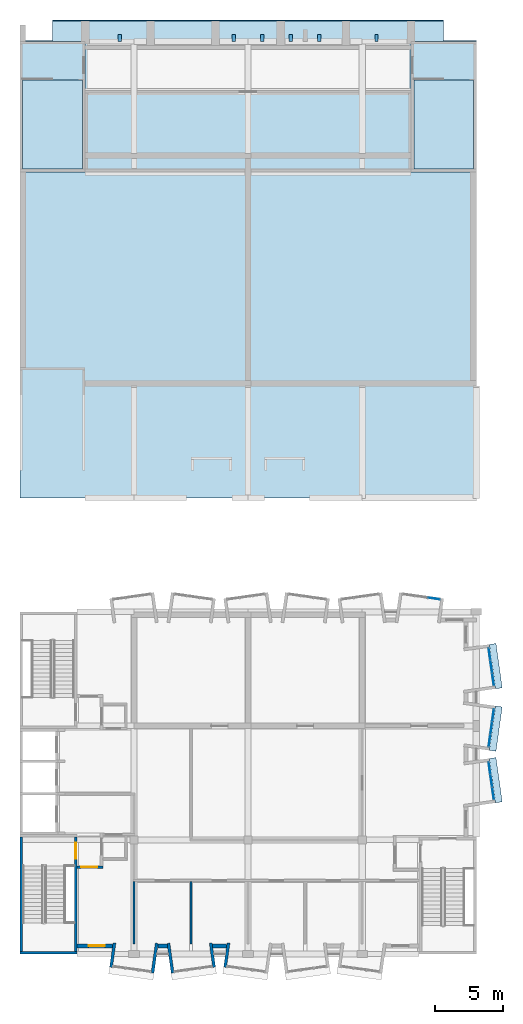
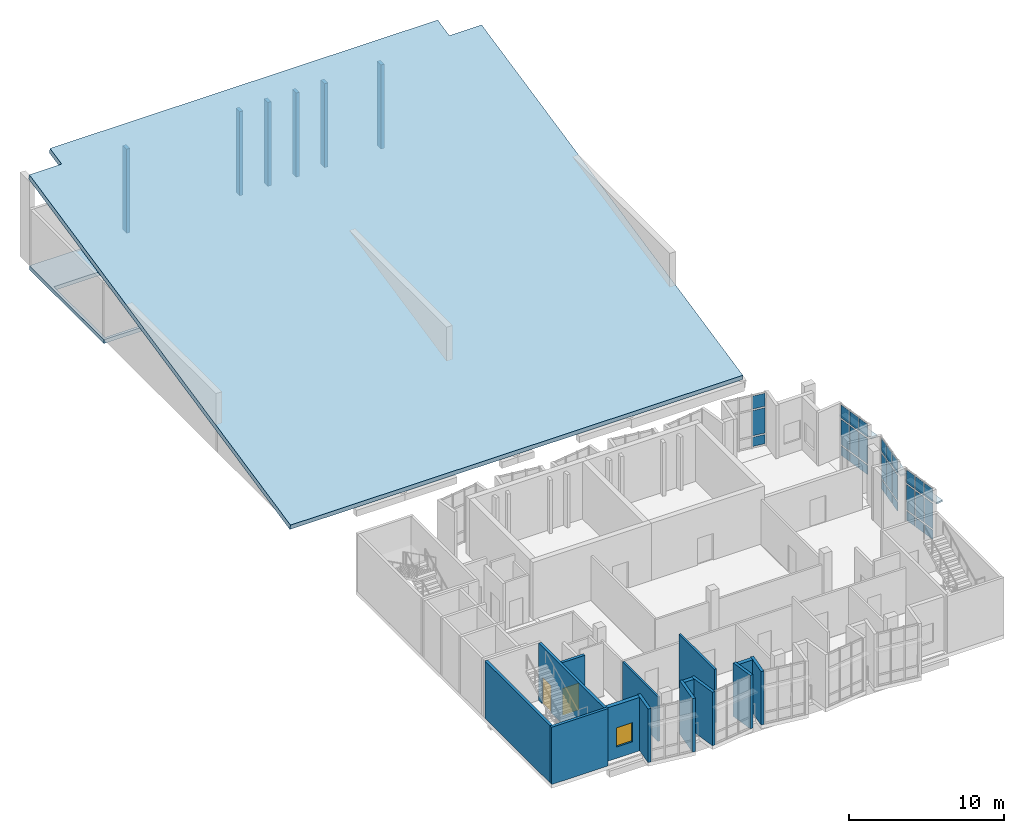
# One storey, part 10 of 19: 39 plates, 14 walls, 2 doors, 2 slabs, 1 window, 3 openings, 4 elements without a shape of their own.
"""IFC4 building model written with IfcOpenShell, lengths in metres."""

from ifc_helpers import new_model, si_unit, direction, frame, frame_2d, origin, origin_2d, place, context, subcontext, project, spatial, polyline, rectangle, outline, extrude, material, layer, layer_set, type_object, element, fill, aggregate, save


model = new_model("IFC4")

# Units and contexts
model_context = context("Model", 3, precision=1e-05, world=origin(), true_north=direction((0.0, 1.0)))
body_context = subcontext(model_context, "Body", "Model", "MODEL_VIEW")
ifc_project = project(units=[si_unit("LENGTHUNIT", "METRE"), si_unit("AREAUNIT", "SQUARE_METRE"), si_unit("VOLUMEUNIT", "CUBIC_METRE"), si_unit("PLANEANGLEUNIT", "RADIAN"), si_unit("MASSUNIT", "GRAM", prefix="KILO")], contexts=[model_context])

# Site, building, storey
site_placement = place(None, origin())
site = spatial("IfcSite", under=ifc_project, at=site_placement, CompositionType="ELEMENT")
building_placement = place(site_placement, origin())
building = spatial("IfcBuilding", under=site, at=building_placement, Name="Kiln Court Media Centre", CompositionType="ELEMENT")
storey_placement = place(building_placement, frame((0.0, 0.0, 29.10009765625)))
storey = spatial("IfcBuildingStorey", under=building, at=storey_placement, Name="L06", CompositionType="ELEMENT", Elevation=29.10009765625)

# Slabs
ifc_material_1 = material(Name="Concrete C30/37", Category="concrete")
ifc_layer_1 = layer(ifc_material_1, 0.300048828125)
ifc_layer_set_1 = layer_set([ifc_layer_1], Name="Concrete C30/37 floor slab 300")
slab_type_1 = type_object("IfcSlabType", Name="Concrete C30/37 floor slab 300", PredefinedType="FLOOR", material=ifc_layer_set_1)
slab_1_placement = place(storey_placement, frame((0.0, 0.0, -0.300048828125)))
element("IfcSlab", 1, at=slab_1_placement, inside=storey, type_object=slab_type_1, Name="L06-SL-1002", PredefinedType="FLOOR", context=body_context, shape_type="SweptSolid", body=[
    extrude(outline(polyline([(0.0, 57.60009765625), (0.0, 67.199951171875), (4.800048828125, 67.199951171875), (4.800048828125, 63.60009765625), (28.800048828125, 63.60009765625), (28.800048828125, 67.199951171875), (33.60009765625, 67.199951171875), (33.60009765625, 57.60009765625), (0.0, 57.60009765625)]), holes=[polyline([(0.199951171875, 57.800048828125), (4.60009765625, 57.800048828125), (4.60009765625, 64.360107421875), (0.199951171875, 64.360107421875), (0.199951171875, 57.800048828125)]), polyline([(29.0, 57.800048828125), (33.39990234375, 57.800048828125), (33.39990234375, 64.360107421875), (29.0, 64.360107421875), (29.0, 57.800048828125)])]), origin(), (0.0, 0.0, 1.0), 0.300048828125),
])
ifc_material_2 = material(Name="Concrete C30/37", Category="concrete")
ifc_layer_2 = layer(ifc_material_2, 0.39990234375)
ifc_layer_set_2 = layer_set([ifc_layer_2], Name="Concrete C30/37 roof slab 400")
slab_type_2 = type_object("IfcSlabType", Name="Concrete C30/37 roof slab 400", PredefinedType="ROOF", material=ifc_layer_set_2)
slab_2_placement = place(storey_placement, frame((0.0, 33.60009765625, 0.0), z_axis=(0.0, -0.207911351471, 0.978147672864), x_axis=(0.0, 0.978147672864, 0.207911351471)))
element("IfcSlab", 2, at=slab_2_placement, inside=storey, type_object=slab_type_2, Name="L06-SL-1001", PredefinedType="ROOF", context=body_context, shape_type="SweptSolid", body=[
    extrude(outline(polyline([(0.0, 0.0), (34.35048931701814, 0.0), (34.35048931701814, -2.3999023437500004), (35.884002873438625, -2.3999023437500004), (35.884002873438625, -31.199951171875007), (34.35048931701814, -31.199951171875007), (34.35048931701814, -33.60009765625001), (0.0, -33.60009765625001), (0.0, 0.0)])), origin(), (0.0, 0.0, -1.0), 0.39990234375),
])

# Plates
ifc_material_3 = material(Name="Concrete C30/37", Category="concrete")
ifc_layer_3 = layer(ifc_material_3, 0.1201171875)
ifc_layer_set_3 = layer_set([ifc_layer_3], Name="Concrete C30/37 sunshade hood 120")
plate_type_1 = type_object("IfcPlateType", Name="Concrete C30/37 sunshade hood 120", PredefinedType="USERDEFINED", material=ifc_layer_set_3)
plate_1_placement = place(storey_placement, frame((0.0, 0.0, 3.0)))
element("IfcPlate", 3, at=plate_1_placement, inside=storey, type_object=plate_type_1, Name="SUNSHADE V6A-E-L06-09", ObjectType="SUNSHADE", PredefinedType="USERDEFINED", context=body_context, shape_type="SweptSolid", body=[
    extrude(outline(polyline([(35.01806640625, 11.133056640625), (34.55859375, 14.40087890625), (35.0537109375, 14.470458984375), (35.51318359375, 11.20263671875), (35.01806640625, 11.133056640625)])), origin(), (0.0, 0.0, 1.0), 0.119873046875),
])
plate_2_placement = place(storey_placement, frame((0.0, 0.0, 3.0)))
element("IfcPlate", 4, at=plate_2_placement, inside=storey, type_object=plate_type_1, Name="SUNSHADE V6A-E-L06-10", ObjectType="SUNSHADE", PredefinedType="USERDEFINED", context=body_context, shape_type="SweptSolid", body=[
    extrude(outline(polyline([(34.55859375, 14.9990234375), (35.01806640625, 18.266845703125), (35.51318359375, 18.197265625), (35.0537109375, 14.929443359375), (34.55859375, 14.9990234375)])), origin(), (0.0, 0.0, 1.0), 0.119873046875),
])
plate_3_placement = place(storey_placement, frame((0.0, 0.0, 3.0)))
element("IfcPlate", 5, at=plate_3_placement, inside=storey, type_object=plate_type_1, Name="SUNSHADE V6A-E-L06-11", ObjectType="SUNSHADE", PredefinedType="USERDEFINED", context=body_context, shape_type="SweptSolid", body=[
    extrude(outline(polyline([(35.01806640625, 19.533203125), (34.55859375, 22.801025390625), (35.0537109375, 22.87060546875), (35.51318359375, 19.602783203125), (35.01806640625, 19.533203125)])), origin(), (0.0, 0.0, 1.0), 0.119873046875),
])
ifc_material_4 = material(Name="Concrete C40/50", Category="concrete")
ifc_layer_4 = layer(ifc_material_4, 0.25)
ifc_layer_set_4 = layer_set([ifc_layer_4], Name="Concrete C40/50 shading fin 250")
plate_type_2 = type_object("IfcPlateType", Name="Concrete C40/50 shading fin 250", PredefinedType="SHEET", material=ifc_layer_set_4)
for number, where, z_axis, x_axis, name in (
    (6, (7.35009765625, 67.449951171875, 0.0), (0.0, 0.0, 1.0), (1.0, 0.0, 0.0), "V4 N fin L06"),
    (7, (15.75, 67.449951171875, 0.0), (0.0, 0.0, 1.0), (1.0, 0.0, 0.0), "V4 N fin L06"),
    (8, (17.85009765625, 67.449951171875, 0.0), (0.0, 0.0, 1.0), (1.0, 0.0, 0.0), "V4 N fin L06"),
    (9, (19.949951171875, 67.449951171875, 0.0), (0.0, 0.0, 1.0), (1.0, 0.0, 0.0), "V4 N fin L06"),
    (10, (22.050048828125, 67.449951171875, 0.0), (0.0, 0.0, 1.0), (1.0, 0.0, 0.0), "V4 N fin L06"),
    (11, (26.25, 67.449951171875, 0.0), (0.0, 0.0, 1.0), (1.0, 0.0, 0.0), "V4 N fin L06"),
):
    element("IfcPlate", number, at=place(storey_placement, frame(where, z_axis=z_axis, x_axis=x_axis)), inside=storey, type_object=plate_type_2, Name=name, PredefinedType="SHEET", context=body_context, shape_type="SweptSolid", body=[
        extrude(rectangle(XDim=0.25, YDim=0.5, at=origin_2d()), origin(), (0.0, 0.0, 1.0), 6.603759765625),
    ])

# Curtain wall, plates
ifc_material_5 = material(Name="Aluminium 6063-T6", Category="aluminium")
ifc_layer_5 = layer(ifc_material_5, 0.1201171875)
ifc_layer_set_5 = layer_set([ifc_layer_5], Name="Aluminium unitised bay curtain wall")
curtain_wall_type = type_object("IfcCurtainWallType", Name="Aluminium unitised bay curtain wall", PredefinedType="USERDEFINED", material=ifc_layer_set_5)
curtain_wall_1_placement = place(storey_placement, origin())
curtain_wall_1 = element("IfcCurtainWall", 12, at=curtain_wall_1_placement, inside=storey, type_object=curtain_wall_type, Name="BAY V6A-E-L06-09 front", ObjectType="UNITISED CURTAIN WALL", PredefinedType="USERDEFINED")
ifc_material_6 = material(Name="Aluminium insulated spandrel", Category="aluminium")
ifc_layer_6 = layer(ifc_material_6, 0.028076171875)
ifc_layer_set_6 = layer_set([ifc_layer_6], Name="Insulated spandrel panel 28")
plate_type_3 = type_object("IfcPlateType", Name="Insulated spandrel panel 28", PredefinedType="CURTAIN_PANEL", material=ifc_layer_set_6)
plate_4_placement = place(storey_placement, frame((34.840087890625, 11.8232421875, 0.1201171875), z_axis=(0.0, 0.0, 1.0), x_axis=(-0.139162472554, 0.990269562409, 0.0)))
plate_4 = element("IfcPlate", 13, at=plate_4_placement, type_object=plate_type_3, Name="CW6-01 panel 1.1", PredefinedType="CURTAIN_PANEL", context=body_context, shape_type="SweptSolid", body=[
    extrude(rectangle(XDim=0.86669921875, YDim=0.028076171875, at=origin_2d()), origin(), (0.0, 0.0, 1.0), 0.719970703125),
])
plate_5_placement = place(storey_placement, frame((34.708984375, 12.755859375, 0.1201171875), z_axis=(0.0, 0.0, 1.0), x_axis=(-0.139162472554, 0.990269562409, 0.0)))
plate_5 = element("IfcPlate", 14, at=plate_5_placement, type_object=plate_type_3, Name="CW6-01 panel 2.1", PredefinedType="CURTAIN_PANEL", context=body_context, shape_type="SweptSolid", body=[
    extrude(rectangle(XDim=0.896728515625, YDim=0.028076171875, at=origin_2d()), origin(), (0.0, 0.0, 1.0), 0.719970703125),
])
plate_6_placement = place(storey_placement, frame((34.578125, 13.6884765625, 0.1201171875), z_axis=(0.0, 0.0, 1.0), x_axis=(-0.139162472554, 0.990269562409, 0.0)))
plate_6 = element("IfcPlate", 15, at=plate_6_placement, type_object=plate_type_3, Name="CW6-01 panel 3.1", PredefinedType="CURTAIN_PANEL", context=body_context, shape_type="SweptSolid", body=[
    extrude(rectangle(XDim=0.86669921875, YDim=0.028076171875, at=origin_2d()), origin(), (0.0, 0.0, 1.0), 0.719970703125),
])

curtain_wall_2_placement = place(storey_placement, origin())
curtain_wall_2 = element("IfcCurtainWall", 16, at=curtain_wall_2_placement, inside=storey, type_object=curtain_wall_type, Name="BAY V6A-E-L06-10 front", ObjectType="UNITISED CURTAIN WALL", PredefinedType="USERDEFINED")
plate_7_placement = place(storey_placement, frame((34.578125, 15.711669921875, 0.1201171875), z_axis=(0.0, 0.0, 1.0), x_axis=(0.139162472554, 0.990269562409, 0.0)))
plate_7 = element("IfcPlate", 17, at=plate_7_placement, type_object=plate_type_3, Name="CW6-02 panel 1.1", PredefinedType="CURTAIN_PANEL", context=body_context, shape_type="SweptSolid", body=[
    extrude(rectangle(XDim=0.86669921875, YDim=0.028076171875, at=origin_2d()), origin(), (0.0, 0.0, 1.0), 0.719970703125),
])
plate_8_placement = place(storey_placement, frame((34.708984375, 16.64404296875, 0.1201171875), z_axis=(0.0, 0.0, 1.0), x_axis=(0.139162472554, 0.990269562409, 0.0)))
plate_8 = element("IfcPlate", 18, at=plate_8_placement, type_object=plate_type_3, Name="CW6-02 panel 2.1", PredefinedType="CURTAIN_PANEL", context=body_context, shape_type="SweptSolid", body=[
    extrude(rectangle(XDim=0.896728515625, YDim=0.028076171875, at=origin_2d()), origin(), (0.0, 0.0, 1.0), 0.719970703125),
])
plate_9_placement = place(storey_placement, frame((34.840087890625, 17.57666015625, 0.1201171875), z_axis=(0.0, 0.0, 1.0), x_axis=(0.139162472554, 0.990269562409, 0.0)))
plate_9 = element("IfcPlate", 19, at=plate_9_placement, type_object=plate_type_3, Name="CW6-02 panel 3.1", PredefinedType="CURTAIN_PANEL", context=body_context, shape_type="SweptSolid", body=[
    extrude(rectangle(XDim=0.86669921875, YDim=0.028076171875, at=origin_2d()), origin(), (0.0, 0.0, 1.0), 0.719970703125),
])

curtain_wall_3_placement = place(storey_placement, origin())
curtain_wall_3 = element("IfcCurtainWall", 20, at=curtain_wall_3_placement, inside=storey, type_object=curtain_wall_type, Name="BAY V6A-E-L06-11 front", ObjectType="UNITISED CURTAIN WALL", PredefinedType="USERDEFINED")
plate_10_placement = place(storey_placement, frame((34.840087890625, 20.223388671875, 0.1201171875), z_axis=(0.0, 0.0, 1.0), x_axis=(-0.139162472554, 0.990269562409, 0.0)))
plate_10 = element("IfcPlate", 21, at=plate_10_placement, type_object=plate_type_3, Name="CW6-03 panel 1.1", PredefinedType="CURTAIN_PANEL", context=body_context, shape_type="SweptSolid", body=[
    extrude(rectangle(XDim=0.86669921875, YDim=0.028076171875, at=origin_2d()), origin(), (0.0, 0.0, 1.0), 0.719970703125),
])
plate_11_placement = place(storey_placement, frame((34.708984375, 21.15576171875, 0.1201171875), z_axis=(0.0, 0.0, 1.0), x_axis=(-0.139162472554, 0.990269562409, 0.0)))
plate_11 = element("IfcPlate", 22, at=plate_11_placement, type_object=plate_type_3, Name="CW6-03 panel 2.1", PredefinedType="CURTAIN_PANEL", context=body_context, shape_type="SweptSolid", body=[
    extrude(rectangle(XDim=0.896728515625, YDim=0.028076171875, at=origin_2d()), origin(), (0.0, 0.0, 1.0), 0.719970703125),
])
plate_12_placement = place(storey_placement, frame((34.578125, 22.08837890625, 0.1201171875), z_axis=(0.0, 0.0, 1.0), x_axis=(-0.139162472554, 0.990269562409, 0.0)))
plate_12 = element("IfcPlate", 23, at=plate_12_placement, type_object=plate_type_3, Name="CW6-03 panel 3.1", PredefinedType="CURTAIN_PANEL", context=body_context, shape_type="SweptSolid", body=[
    extrude(rectangle(XDim=0.86669921875, YDim=0.028076171875, at=origin_2d()), origin(), (0.0, 0.0, 1.0), 0.719970703125),
])

# Curtain wall, plate
curtain_wall_4_placement = place(storey_placement, origin())
curtain_wall_4 = element("IfcCurtainWall", 24, at=curtain_wall_4_placement, inside=storey, type_object=curtain_wall_type, Name="BAY V6A-N-L06-43 front", ObjectType="UNITISED CURTAIN WALL", PredefinedType="USERDEFINED")
plate_13_placement = place(storey_placement, frame((30.48828125, 26.177978515625, 0.1201171875), z_axis=(0.0, 0.0, 1.0), x_axis=(0.990269562409, -0.139162472554, 0.0)))
plate_13 = element("IfcPlate", 25, at=plate_13_placement, type_object=plate_type_3, Name="CW6-09 panel 3.1", PredefinedType="CURTAIN_PANEL", context=body_context, shape_type="SweptSolid", body=[
    extrude(rectangle(XDim=0.86669921875, YDim=0.028076171875, at=origin_2d()), origin(), (0.0, 0.0, 1.0), 0.719970703125),
])

# Plate
ifc_material_7 = material(Name="Low-E double glazing", Category="glass")
ifc_layer_7 = layer(ifc_material_7, 0.028076171875)
ifc_layer_set_7 = layer_set([ifc_layer_7], Name="Low-E double glazed panel 28")
plate_type_4 = type_object("IfcPlateType", Name="Low-E double glazed panel 28", PredefinedType="CURTAIN_PANEL", material=ifc_layer_set_7)
plate_14_placement = place(storey_placement, frame((34.840087890625, 11.8232421875, 0.9599609375), z_axis=(0.0, 0.0, 1.0), x_axis=(-0.139162472554, 0.990269562409, 0.0)))
plate_14 = element("IfcPlate", 26, at=plate_14_placement, type_object=plate_type_4, Name="CW6-01 panel 1.2", PredefinedType="CURTAIN_PANEL", context=body_context, shape_type="SweptSolid", body=[
    extrude(rectangle(XDim=0.86669921875, YDim=0.028076171875, at=origin_2d()), origin(), (0.0, 0.0, 1.0), 1.97998046875),
])

plate_15_placement = place(storey_placement, frame((34.840087890625, 11.8232421875, 3.059814453125), z_axis=(0.0, 0.0, 1.0), x_axis=(-0.139162472554, 0.990269562409, 0.0)))
plate_15 = element("IfcPlate", 27, at=plate_15_placement, type_object=plate_type_4, Name="CW6-01 panel 1.3", PredefinedType="CURTAIN_PANEL", context=body_context, shape_type="SweptSolid", body=[
    extrude(rectangle(XDim=0.86669921875, YDim=0.028076171875, at=origin_2d()), origin(), (0.0, 0.0, 1.0), 1.02001953125),
])

plate_16_placement = place(storey_placement, frame((34.708984375, 12.755859375, 0.9599609375), z_axis=(0.0, 0.0, 1.0), x_axis=(-0.139162472554, 0.990269562409, 0.0)))
plate_16 = element("IfcPlate", 28, at=plate_16_placement, type_object=plate_type_4, Name="CW6-01 panel 2.2", PredefinedType="CURTAIN_PANEL", context=body_context, shape_type="SweptSolid", body=[
    extrude(rectangle(XDim=0.896728515625, YDim=0.028076171875, at=origin_2d()), origin(), (0.0, 0.0, 1.0), 1.97998046875),
])

plate_17_placement = place(storey_placement, frame((34.708984375, 12.755859375, 3.059814453125), z_axis=(0.0, 0.0, 1.0), x_axis=(-0.139162472554, 0.990269562409, 0.0)))
plate_17 = element("IfcPlate", 29, at=plate_17_placement, type_object=plate_type_4, Name="CW6-01 panel 2.3", PredefinedType="CURTAIN_PANEL", context=body_context, shape_type="SweptSolid", body=[
    extrude(rectangle(XDim=0.896728515625, YDim=0.028076171875, at=origin_2d()), origin(), (0.0, 0.0, 1.0), 1.02001953125),
])

plate_18_placement = place(storey_placement, frame((34.578125, 13.6884765625, 0.9599609375), z_axis=(0.0, 0.0, 1.0), x_axis=(-0.139162472554, 0.990269562409, 0.0)))
plate_18 = element("IfcPlate", 30, at=plate_18_placement, type_object=plate_type_4, Name="CW6-01 panel 3.2", PredefinedType="CURTAIN_PANEL", context=body_context, shape_type="SweptSolid", body=[
    extrude(rectangle(XDim=0.86669921875, YDim=0.028076171875, at=origin_2d()), origin(), (0.0, 0.0, 1.0), 1.97998046875),
])

plate_19_placement = place(storey_placement, frame((34.578125, 13.6884765625, 3.059814453125), z_axis=(0.0, 0.0, 1.0), x_axis=(-0.139162472554, 0.990269562409, 0.0)))
plate_19 = element("IfcPlate", 31, at=plate_19_placement, type_object=plate_type_4, Name="CW6-01 panel 3.3", PredefinedType="CURTAIN_PANEL", context=body_context, shape_type="SweptSolid", body=[
    extrude(rectangle(XDim=0.86669921875, YDim=0.028076171875, at=origin_2d()), origin(), (0.0, 0.0, 1.0), 1.02001953125),
])

aggregate(curtain_wall_1, [plate_4, plate_14, plate_15, plate_5, plate_16, plate_17, plate_6, plate_18, plate_19])

plate_20_placement = place(storey_placement, frame((34.578125, 15.711669921875, 0.9599609375), z_axis=(0.0, 0.0, 1.0), x_axis=(0.139162472554, 0.990269562409, 0.0)))
plate_20 = element("IfcPlate", 32, at=plate_20_placement, type_object=plate_type_4, Name="CW6-02 panel 1.2", PredefinedType="CURTAIN_PANEL", context=body_context, shape_type="SweptSolid", body=[
    extrude(rectangle(XDim=0.86669921875, YDim=0.028076171875, at=origin_2d()), origin(), (0.0, 0.0, 1.0), 1.97998046875),
])

plate_21_placement = place(storey_placement, frame((34.578125, 15.711669921875, 3.059814453125), z_axis=(0.0, 0.0, 1.0), x_axis=(0.139162472554, 0.990269562409, 0.0)))
plate_21 = element("IfcPlate", 33, at=plate_21_placement, type_object=plate_type_4, Name="CW6-02 panel 1.3", PredefinedType="CURTAIN_PANEL", context=body_context, shape_type="SweptSolid", body=[
    extrude(rectangle(XDim=0.86669921875, YDim=0.028076171875, at=origin_2d()), origin(), (0.0, 0.0, 1.0), 1.02001953125),
])

plate_22_placement = place(storey_placement, frame((34.708984375, 16.64404296875, 0.9599609375), z_axis=(0.0, 0.0, 1.0), x_axis=(0.139162472554, 0.990269562409, 0.0)))
plate_22 = element("IfcPlate", 34, at=plate_22_placement, type_object=plate_type_4, Name="CW6-02 panel 2.2", PredefinedType="CURTAIN_PANEL", context=body_context, shape_type="SweptSolid", body=[
    extrude(rectangle(XDim=0.896728515625, YDim=0.028076171875, at=origin_2d()), origin(), (0.0, 0.0, 1.0), 1.97998046875),
])

plate_23_placement = place(storey_placement, frame((34.708984375, 16.64404296875, 3.059814453125), z_axis=(0.0, 0.0, 1.0), x_axis=(0.139162472554, 0.990269562409, 0.0)))
plate_23 = element("IfcPlate", 35, at=plate_23_placement, type_object=plate_type_4, Name="CW6-02 panel 2.3", PredefinedType="CURTAIN_PANEL", context=body_context, shape_type="SweptSolid", body=[
    extrude(rectangle(XDim=0.896728515625, YDim=0.028076171875, at=origin_2d()), origin(), (0.0, 0.0, 1.0), 1.02001953125),
])

plate_24_placement = place(storey_placement, frame((34.840087890625, 17.57666015625, 0.9599609375), z_axis=(0.0, 0.0, 1.0), x_axis=(0.139162472554, 0.990269562409, 0.0)))
plate_24 = element("IfcPlate", 36, at=plate_24_placement, type_object=plate_type_4, Name="CW6-02 panel 3.2", PredefinedType="CURTAIN_PANEL", context=body_context, shape_type="SweptSolid", body=[
    extrude(rectangle(XDim=0.86669921875, YDim=0.028076171875, at=origin_2d()), origin(), (0.0, 0.0, 1.0), 1.97998046875),
])

plate_25_placement = place(storey_placement, frame((34.840087890625, 17.57666015625, 3.059814453125), z_axis=(0.0, 0.0, 1.0), x_axis=(0.139162472554, 0.990269562409, 0.0)))
plate_25 = element("IfcPlate", 37, at=plate_25_placement, type_object=plate_type_4, Name="CW6-02 panel 3.3", PredefinedType="CURTAIN_PANEL", context=body_context, shape_type="SweptSolid", body=[
    extrude(rectangle(XDim=0.86669921875, YDim=0.028076171875, at=origin_2d()), origin(), (0.0, 0.0, 1.0), 1.02001953125),
])

aggregate(curtain_wall_2, [plate_7, plate_20, plate_21, plate_8, plate_22, plate_23, plate_9, plate_24, plate_25])

plate_26_placement = place(storey_placement, frame((34.840087890625, 20.223388671875, 0.9599609375), z_axis=(0.0, 0.0, 1.0), x_axis=(-0.139162472554, 0.990269562409, 0.0)))
plate_26 = element("IfcPlate", 38, at=plate_26_placement, type_object=plate_type_4, Name="CW6-03 panel 1.2", PredefinedType="CURTAIN_PANEL", context=body_context, shape_type="SweptSolid", body=[
    extrude(rectangle(XDim=0.86669921875, YDim=0.028076171875, at=origin_2d()), origin(), (0.0, 0.0, 1.0), 1.97998046875),
])

plate_27_placement = place(storey_placement, frame((34.840087890625, 20.223388671875, 3.059814453125), z_axis=(0.0, 0.0, 1.0), x_axis=(-0.139162472554, 0.990269562409, 0.0)))
plate_27 = element("IfcPlate", 39, at=plate_27_placement, type_object=plate_type_4, Name="CW6-03 panel 1.3", PredefinedType="CURTAIN_PANEL", context=body_context, shape_type="SweptSolid", body=[
    extrude(rectangle(XDim=0.86669921875, YDim=0.028076171875, at=origin_2d()), origin(), (0.0, 0.0, 1.0), 1.02001953125),
])

plate_28_placement = place(storey_placement, frame((34.708984375, 21.15576171875, 0.9599609375), z_axis=(0.0, 0.0, 1.0), x_axis=(-0.139162472554, 0.990269562409, 0.0)))
plate_28 = element("IfcPlate", 40, at=plate_28_placement, type_object=plate_type_4, Name="CW6-03 panel 2.2", PredefinedType="CURTAIN_PANEL", context=body_context, shape_type="SweptSolid", body=[
    extrude(rectangle(XDim=0.896728515625, YDim=0.028076171875, at=origin_2d()), origin(), (0.0, 0.0, 1.0), 1.97998046875),
])

plate_29_placement = place(storey_placement, frame((34.708984375, 21.15576171875, 3.059814453125), z_axis=(0.0, 0.0, 1.0), x_axis=(-0.139162472554, 0.990269562409, 0.0)))
plate_29 = element("IfcPlate", 41, at=plate_29_placement, type_object=plate_type_4, Name="CW6-03 panel 2.3", PredefinedType="CURTAIN_PANEL", context=body_context, shape_type="SweptSolid", body=[
    extrude(rectangle(XDim=0.896728515625, YDim=0.028076171875, at=origin_2d()), origin(), (0.0, 0.0, 1.0), 1.02001953125),
])

plate_30_placement = place(storey_placement, frame((34.578125, 22.08837890625, 0.9599609375), z_axis=(0.0, 0.0, 1.0), x_axis=(-0.139162472554, 0.990269562409, 0.0)))
plate_30 = element("IfcPlate", 42, at=plate_30_placement, type_object=plate_type_4, Name="CW6-03 panel 3.2", PredefinedType="CURTAIN_PANEL", context=body_context, shape_type="SweptSolid", body=[
    extrude(rectangle(XDim=0.86669921875, YDim=0.028076171875, at=origin_2d()), origin(), (0.0, 0.0, 1.0), 1.97998046875),
])

plate_31_placement = place(storey_placement, frame((34.578125, 22.08837890625, 3.059814453125), z_axis=(0.0, 0.0, 1.0), x_axis=(-0.139162472554, 0.990269562409, 0.0)))
plate_31 = element("IfcPlate", 43, at=plate_31_placement, type_object=plate_type_4, Name="CW6-03 panel 3.3", PredefinedType="CURTAIN_PANEL", context=body_context, shape_type="SweptSolid", body=[
    extrude(rectangle(XDim=0.86669921875, YDim=0.028076171875, at=origin_2d()), origin(), (0.0, 0.0, 1.0), 1.02001953125),
])

aggregate(curtain_wall_3, [plate_10, plate_26, plate_27, plate_11, plate_28, plate_29, plate_12, plate_30, plate_31])

plate_32_placement = place(storey_placement, frame((30.48828125, 26.177978515625, 0.9599609375), z_axis=(0.0, 0.0, 1.0), x_axis=(0.990269562409, -0.139162472554, 0.0)))
plate_32 = element("IfcPlate", 44, at=plate_32_placement, type_object=plate_type_4, Name="CW6-09 panel 3.2", PredefinedType="CURTAIN_PANEL", context=body_context, shape_type="SweptSolid", body=[
    extrude(rectangle(XDim=0.86669921875, YDim=0.028076171875, at=origin_2d()), origin(), (0.0, 0.0, 1.0), 1.97998046875),
])

plate_33_placement = place(storey_placement, frame((30.48828125, 26.177978515625, 3.059814453125), z_axis=(0.0, 0.0, 1.0), x_axis=(0.990269562409, -0.139162472554, 0.0)))
plate_33 = element("IfcPlate", 45, at=plate_33_placement, type_object=plate_type_4, Name="CW6-09 panel 3.3", PredefinedType="CURTAIN_PANEL", context=body_context, shape_type="SweptSolid", body=[
    extrude(rectangle(XDim=0.86669921875, YDim=0.028076171875, at=origin_2d()), origin(), (0.0, 0.0, 1.0), 1.02001953125),
])

aggregate(curtain_wall_4, [plate_13, plate_32, plate_33])

# Wall, opening, door
ifc_material_8 = material(Name="Concrete block masonry M10", Category="masonry")
ifc_layer_8 = layer(ifc_material_8, 0.199951171875)
ifc_layer_set_8 = layer_set([ifc_layer_8], Name="Block vestibule wall 200 EI 240")
wall_type_1 = type_object("IfcWallType", Name="Block vestibule wall 200 EI 240", PredefinedType="SOLIDWALL", material=ifc_layer_set_8)
wall_1_placement = place(storey_placement, frame((4.2001953125, 6.39990234375, 0.0), z_axis=(0.0, 0.0, 1.0), x_axis=(1.0, 0.0, 0.0)))
wall_1 = element("IfcWall", 46, at=wall_1_placement, inside=storey, type_object=wall_type_1, Name="L06 block vestibule wall", PredefinedType="SOLIDWALL", context=body_context, shape_type="SweptSolid", body=[
    extrude(rectangle(XDim=1.89990234375, YDim=0.199951171875, at=frame_2d((0.949951171875, 0.0))), origin(), (0.0, 0.0, 1.0), 4.199951171875),
])
opening_1_placement = place(wall_1_placement, frame((0.2998046875, 0.0, 0.0)))
opening_1 = element("IfcOpeningElement", 47, at=opening_1_placement, cuts=wall_1, Name="Opening D6008", PredefinedType="OPENING", context=body_context, shape_type="SweptSolid", body=[
    extrude(rectangle(XDim=1.199951171875, YDim=2.10009765625, at=frame_2d((0.60009765625, 1.050048828125))), frame((0.0, 0.10986328125, 0.0), z_axis=(0.0, -1.0, 0.0), x_axis=(1.0, 0.0, 0.0)), (0.0, 0.0, 1.0), 0.219970703125),
])
ifc_material_9 = material(Name="Steel S275", Category="steel")
door_type_1 = type_object("IfcDoorType", Name="Steel vestibule door 1200 x 2100 FD180", OperationType="SINGLE_SWING_LEFT", PredefinedType="DOOR", material=ifc_material_9)
door_1_placement = place(opening_1_placement, origin())
door_1 = element("IfcDoor", 48, at=door_1_placement, inside=storey, type_object=door_type_1, Name="Toilets and Accessible WC / Stair 1 Vestibule", OperationType="SINGLE_SWING_LEFT", OverallHeight=2.10009765625, OverallWidth=1.199951171875, PredefinedType="DOOR", context=body_context, shape_type="SweptSolid", body=[
    extrude(rectangle(XDim=1.199951171875, YDim=2.10009765625, at=frame_2d((0.60009765625, 1.050048828125))), frame((0.0, 0.02490234375, 0.0), z_axis=(0.0, -1.0, 0.0), x_axis=(1.0, 0.0, 0.0)), (0.0, 0.0, 1.0), 0.050048828125),
])
fill(opening_1, door_1)

# Walls
ifc_material_10 = material(Name="Brick masonry facing leaf with RC backing", Category="masonry")
ifc_layer_9 = layer(ifc_material_10, 0.215087890625)
ifc_layer_set_9 = layer_set([ifc_layer_9], Name="Brick masonry bay cheek wall 215")
wall_type_2 = type_object("IfcWallType", Name="Brick masonry bay cheek wall 215", PredefinedType="SOLIDWALL", material=ifc_layer_set_9)
wall_2_placement = place(storey_placement, frame((6.9560546875, 0.808837890625, 0.0), z_axis=(0.0, 0.0, 1.0), x_axis=(-0.139161311926, -0.990269725511, 0.0)))
element("IfcWall", 49, at=wall_2_placement, inside=storey, type_object=wall_type_2, Name="BAY V6A-S-L06-40 cheek L", PredefinedType="SOLIDWALL", context=body_context, shape_type="SweptSolid", body=[
    extrude(rectangle(XDim=1.800048828125, YDim=0.215087890625, at=frame_2d((0.89990234375, 0.0))), origin(), (0.0, 0.0, 1.0), 4.199951171875),
])
for number, where, z_axis, x_axis, name in (
    (50, (10.0693359375, 0.794921875, 0.0), (0.0, 0.0, 1.0), (-0.139141913905, -0.990272451295, 0.0), "BAY V6A-S-L06-40 cheek R"),
    (51, (10.9306640625, 0.794921875, 0.0), (0.0, 0.0, 1.0), (0.139141913905, -0.990272451295, 0.0), "BAY V6A-S-L06-41 cheek L"),
):
    element("IfcWall", number, at=place(storey_placement, frame(where, z_axis=z_axis, x_axis=x_axis)), inside=storey, type_object=wall_type_2, Name=name, PredefinedType="SOLIDWALL", context=body_context, shape_type="SweptSolid", body=[
        extrude(rectangle(XDim=2.219482421875, YDim=0.215087890625, at=frame_2d((1.10986328125, 0.0))), origin(), (0.0, 0.0, 1.0), 4.199951171875),
    ])
for number, where, z_axis, x_axis, name in (
    (52, (14.0439453125, 0.808837890625, 0.0), (0.0, 0.0, 1.0), (0.139161311926, -0.990269725511, 0.0), "BAY V6A-S-L06-41 cheek R"),
    (53, (15.35595703125, 0.808837890625, 0.0), (0.0, 0.0, 1.0), (-0.139161311926, -0.990269725511, 0.0), "BAY V6A-S-L06-42 cheek L"),
):
    element("IfcWall", number, at=place(storey_placement, frame(where, z_axis=z_axis, x_axis=x_axis)), inside=storey, type_object=wall_type_2, Name=name, PredefinedType="SOLIDWALL", context=body_context, shape_type="SweptSolid", body=[
        extrude(rectangle(XDim=1.800048828125, YDim=0.215087890625, at=frame_2d((0.89990234375, 0.0))), origin(), (0.0, 0.0, 1.0), 4.199951171875),
    ])

# Wall, opening, window
ifc_material_11 = material(Name="Brick masonry facing leaf with RC backing", Category="masonry")
ifc_layer_10 = layer(ifc_material_11, 0.300048828125)
ifc_layer_set_10 = layer_set([ifc_layer_10], Name="Brick masonry cavity wall 300")
wall_type_3 = type_object("IfcWallType", Name="Brick masonry cavity wall 300", PredefinedType="SOLIDWALL", material=ifc_layer_set_10)
wall_3_placement = place(storey_placement, frame((6.818115234375, 0.60009765625, 0.0), z_axis=(0.0, 0.0, 1.0), x_axis=(-1.0, 0.0, 0.0)))
wall_3 = element("IfcWall", 54, at=wall_3_placement, inside=storey, type_object=wall_type_3, Name="V6A-S facade L06 3034", PredefinedType="SOLIDWALL", context=body_context, shape_type="SweptSolid", body=[
    extrude(rectangle(XDim=2.617919921875, YDim=0.300048828125, at=frame_2d((1.30908203125, 0.0))), origin(), (0.0, 0.0, 1.0), 4.199951171875),
])
opening_2_placement = place(wall_3_placement, frame((0.55908203125, 0.0, 0.89990234375)))
opening_2 = element("IfcOpeningElement", 55, at=opening_2_placement, cuts=wall_3, Name="Opening WN6004", PredefinedType="OPENING", context=body_context, shape_type="SweptSolid", body=[
    extrude(rectangle(XDim=1.199951171875, YDim=1.5, at=frame_2d((0.60009765625, 0.75))), frame((0.0, 0.159912109375, 0.0), z_axis=(0.0, -1.0, 0.0), x_axis=(1.0, 0.0, 0.0)), (0.0, 0.0, 1.0), 0.320068359375),
])
ifc_material_12 = material(Name="Aluminium 6063-T6", Category="aluminium")
window_type = type_object("IfcWindowType", Name="Aluminium window 1200x1500", PartitioningType="DOUBLE_PANEL_VERTICAL", PredefinedType="WINDOW", material=ifc_material_12)
window_placement = place(opening_2_placement, origin())
window = element("IfcWindow", 56, at=window_placement, inside=storey, type_object=window_type, Name="WB window WN6004", OverallHeight=1.5, OverallWidth=1.199951171875, PartitioningType="SINGLE_PANEL", PredefinedType="WINDOW", context=body_context, shape_type="SweptSolid", body=[
    extrude(rectangle(XDim=1.199951171875, YDim=1.5, at=frame_2d((0.60009765625, 0.75))), frame((0.0, 0.030029296875, 0.0), z_axis=(0.0, -1.0, 0.0), x_axis=(1.0, 0.0, 0.0)), (0.0, 0.0, 1.0), 0.06005859375),
])
fill(opening_2, window)

# Walls
wall_4_placement = place(storey_placement, frame((10.849609375, 0.60009765625, 0.0), z_axis=(0.0, 0.0, 1.0), x_axis=(-1.0, 0.0, 0.0)))
element("IfcWall", 57, at=wall_4_placement, inside=storey, type_object=wall_type_3, Name="V6A-S facade L06 3035", PredefinedType="SOLIDWALL", context=body_context, shape_type="SweptSolid", body=[
    extrude(rectangle(XDim=0.69921875, YDim=0.300048828125, at=frame_2d((0.349609375, 0.0))), origin(), (0.0, 0.0, 1.0), 4.199951171875),
])
wall_5_placement = place(storey_placement, frame((15.218017578125, 0.60009765625, 0.0), z_axis=(0.0, 0.0, 1.0), x_axis=(-1.0, 0.0, 0.0)))
element("IfcWall", 58, at=wall_5_placement, inside=storey, type_object=wall_type_3, Name="V6A-S facade L06 3036", PredefinedType="SOLIDWALL", context=body_context, shape_type="SweptSolid", body=[
    extrude(rectangle(XDim=1.0361328125, YDim=0.300048828125, at=frame_2d((0.51806640625, 0.0))), origin(), (0.0, 0.0, 1.0), 4.199951171875),
])
ifc_material_13 = material(Name="Concrete C40/50", Category="concrete")
ifc_layer_11 = layer(ifc_material_13, 0.199951171875)
ifc_layer_set_11 = layer_set([ifc_layer_11], Name="Concrete C40/50 shear wall 200")
wall_type_4 = type_object("IfcWallType", Name="Concrete C40/50 shear wall 200", PredefinedType="SHEAR", material=ifc_layer_set_11)
wall_6_placement = place(storey_placement, frame((4.199951171875, 0.10009765625, 0.0), z_axis=(0.0, 0.0, 1.0), x_axis=(-1.0, 0.0, 0.0)))
element("IfcWall", 59, at=wall_6_placement, inside=storey, type_object=wall_type_4, Name="L06-W-1000", PredefinedType="SHEAR", context=body_context, shape_type="SweptSolid", body=[
    extrude(rectangle(XDim=4.199462890625, YDim=0.199951171875, at=frame_2d((2.099609375, 0.0))), origin(), (0.0, 0.0, 1.0), 4.5),
])
wall_7_placement = place(storey_placement, frame((0.100341796875, 0.199951171875, 0.0), z_axis=(0.0, 0.0, 1.0), x_axis=(0.0, 1.0, 0.0)))
element("IfcWall", 60, at=wall_7_placement, inside=storey, type_object=wall_type_4, Name="L06-W-1002", PredefinedType="SHEAR", context=body_context, shape_type="SweptSolid", body=[
    extrude(rectangle(XDim=8.400146484375, YDim=0.199951171875, at=frame_2d((4.2001953125, 0.0))), origin(), (0.0, 0.0, 1.0), 4.5),
])

# Wall, opening, door
wall_8_placement = place(storey_placement, frame((4.10009765625, 8.60009765625, 0.0), z_axis=(0.0, 0.0, 1.0), x_axis=(0.0, -1.0, 0.0)))
wall_8 = element("IfcWall", 61, at=wall_8_placement, inside=storey, type_object=wall_type_4, Name="L06-W-1003", PredefinedType="SHEAR", context=body_context, shape_type="SweptSolid", body=[
    extrude(rectangle(XDim=8.400146484375, YDim=0.199951171875, at=frame_2d((4.2001953125, 0.0))), origin(), (0.0, 0.0, 1.0), 4.5),
])
opening_3_placement = place(wall_8_placement, frame((0.400146484375, 0.0, 0.0)))
opening_3 = element("IfcOpeningElement", 62, at=opening_3_placement, cuts=wall_8, Name="Opening D6002", PredefinedType="OPENING", context=body_context, shape_type="SweptSolid", body=[
    extrude(rectangle(XDim=1.199951171875, YDim=2.10009765625, at=frame_2d((0.60009765625, 1.050048828125))), frame((0.0, 0.10986328125, 0.0), z_axis=(0.0, -1.0, 0.0), x_axis=(1.0, 0.0, 0.0)), (0.0, 0.0, 1.0), 0.219970703125),
])
ifc_material_14 = material(Name="Steel S275", Category="steel")
door_type_2 = type_object("IfcDoorType", Name="Steel stair door 1200 x 2100 FD180", OperationType="SINGLE_SWING_LEFT", PredefinedType="DOOR", material=ifc_material_14)
door_2_placement = place(opening_3_placement, origin())
door_2 = element("IfcDoor", 63, at=door_2_placement, inside=storey, type_object=door_type_2, Name="Stair 1 / Stair 1 Vestibule", OperationType="SINGLE_SWING_RIGHT", OverallHeight=2.10009765625, OverallWidth=1.199951171875, PredefinedType="DOOR", context=body_context, shape_type="SweptSolid", body=[
    extrude(rectangle(XDim=1.199951171875, YDim=2.10009765625, at=frame_2d((0.60009765625, 1.050048828125))), frame((0.0, 0.02490234375, 0.0), z_axis=(0.0, -1.0, 0.0), x_axis=(1.0, 0.0, 0.0)), (0.0, 0.0, 1.0), 0.050048828125),
])
fill(opening_3, door_2)

# Walls
ifc_material_15 = material(Name="Gypsum plasterboard", Category="gypsum")
ifc_layer_12 = layer(ifc_material_15, 0.14990234375)
ifc_layer_set_12 = layer_set([ifc_layer_12], Name="Gypsum corridor partition 150 EI 60")
wall_type_5 = type_object("IfcWallType", Name="Gypsum corridor partition 150 EI 60", PredefinedType="PARTITIONING", material=ifc_layer_set_12)
wall_9_placement = place(storey_placement, frame((8.39990234375, 0.75, 0.0), z_axis=(0.0, 0.0, 1.0), x_axis=(0.0, 1.0, 0.0)))
element("IfcWall", 64, at=wall_9_placement, inside=storey, type_object=wall_type_5, Name="L06 gypsum corridor partition", PredefinedType="PARTITIONING", context=body_context, shape_type="SweptSolid", body=[
    extrude(rectangle(XDim=4.574951171875, YDim=0.14990234375, at=frame_2d((2.28759765625, 0.0))), origin(), (0.0, 0.0, 1.0), 3.5),
])
wall_10_placement = place(storey_placement, frame((12.60009765625, 0.75, 0.0), z_axis=(0.0, 0.0, 1.0), x_axis=(0.0, 1.0, 0.0)))
element("IfcWall", 65, at=wall_10_placement, inside=storey, type_object=wall_type_5, Name="L06 gypsum corridor partition", PredefinedType="PARTITIONING", context=body_context, shape_type="SweptSolid", body=[
    extrude(rectangle(XDim=4.574951171875, YDim=0.14990234375, at=frame_2d((2.28759765625, 0.0))), origin(), (0.0, 0.0, 1.0), 4.199951171875),
])

save(model, "model.ifc")
